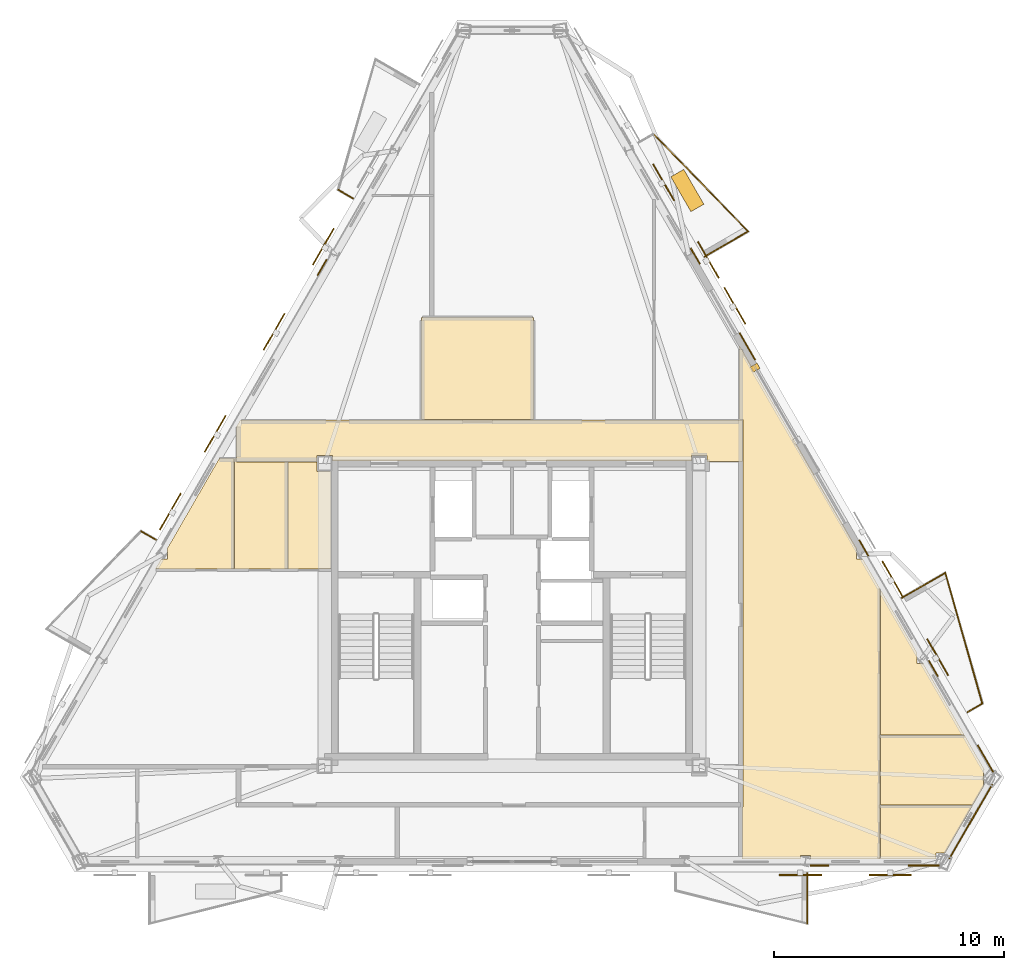
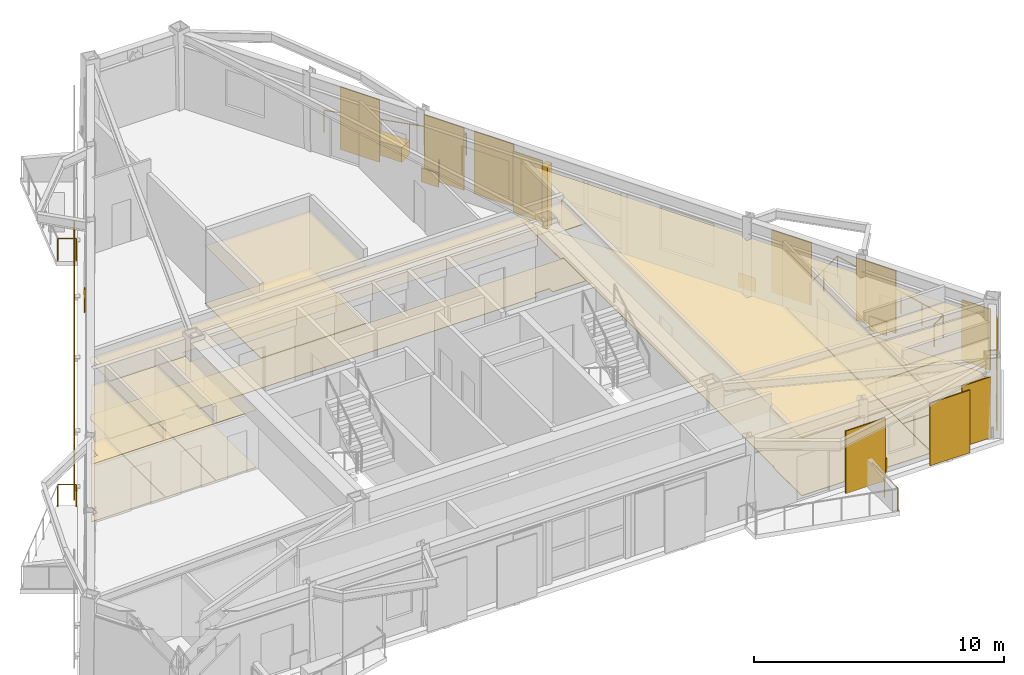
# One storey, part 14 of 15: 29 coverings, 11 shading devices, 8 railings.
"""IFC4 building model written with IfcOpenShell, lengths in metres."""

import ifcopenshell
import ifcopenshell.guid

model = None  # the IFC model being written
_history = None  # IfcOwnerHistory: only IFC2X3 demands one
_inside = {}  # id of a spatial element -> (the spatial element, [elements in it])
_under = {}  # id of a project, library or spatial element -> (it, [spatial elements below it])
_declared = {}  # id of a project -> (the project, [libraries it declares])
_typed = {}  # id of a type object -> (the type object, [elements of that type])
_made_of = {}  # id of a material, layer set ... -> (it, [elements and type objects made of it])


def new_model(schema):
    """Start an empty IFC model of exactly this schema.

    Asked for "IFC4X3", IfcOpenShell would pick the latest addendum, in which some entities
    have other attributes; the version numbers below select the first issue.
    IFC2X3 requires an IfcOwnerHistory on every rooted entity: one is made here for all.
    """
    global model, _history
    if schema == "IFC4X3":
        model = ifcopenshell.file(schema_version=(4, 3, 0, 0))
    else:
        model = ifcopenshell.file(schema=schema)
    _inside.clear()
    _under.clear()
    _declared.clear()
    _typed.clear()
    _made_of.clear()
    _history = None
    if model.schema == "IFC2X3":
        org = make("IfcOrganization", Name="unknown")
        user = make(
            "IfcPersonAndOrganization",
            ThePerson=make("IfcPerson", FamilyName="unknown"),
            TheOrganization=org,
        )
        app = make(
            "IfcApplication",
            ApplicationDeveloper=org,
            Version="unknown",
            ApplicationFullName="unknown",
            ApplicationIdentifier="unknown",
        )
        _history = make(
            "IfcOwnerHistory",
            OwningUser=user,
            OwningApplication=app,
            ChangeAction="ADDED",
            CreationDate=0,
        )
    return model


def make(cls, **values):
    """One entity of the class cls with the attributes given. An attribute that is None is left unset."""
    return model.create_entity(
        cls, **{name: value for name, value in values.items() if value is not None}
    )


def rooted(cls, **values):
    """An entity with a GlobalId (a new one), such as an element, a storey or a relation."""
    return make(cls, GlobalId=ifcopenshell.guid.new(), OwnerHistory=_history, **values)


def si_unit(unit_type, name, prefix=None):
    """IfcSIUnit, for example si_unit("LENGTHUNIT", "METRE", prefix="MILLI")."""
    return make("IfcSIUnit", UnitType=unit_type, Prefix=prefix, Name=name)


def assignment(units):
    """IfcUnitAssignment: the units of a project."""
    return None if units is None else make("IfcUnitAssignment", Units=units)


def point(xyz):
    """IfcCartesianPoint."""
    return None if xyz is None else make("IfcCartesianPoint", Coordinates=xyz)


def direction(xyz):
    """IfcDirection."""
    return None if xyz is None else make("IfcDirection", DirectionRatios=xyz)


def frame(location, z_axis=None, x_axis=None):
    """IfcAxis2Placement3D, a coordinate frame: its origin and axes. An axis left out is left unset."""
    return make(
        "IfcAxis2Placement3D",
        Location=point(location),
        Axis=direction(z_axis),
        RefDirection=direction(x_axis),
    )


def frame_2d(location, x_axis=None):
    """IfcAxis2Placement2D, a coordinate frame in the plane: its origin and x axis."""
    return make(
        "IfcAxis2Placement2D", Location=point(location), RefDirection=direction(x_axis)
    )


def origin():
    """The frame at (0, 0, 0) with its axes left unset."""
    return frame((0.0, 0.0, 0.0))


def origin_2d():
    """The frame at (0, 0) in the plane with its x axis left unset."""
    return frame_2d((0.0, 0.0))


def place(relative_to, where):
    """IfcLocalPlacement: puts the frame where relative to a parent placement (None: the world)."""
    return make(
        "IfcLocalPlacement", PlacementRelTo=relative_to, RelativePlacement=where
    )


def context(
    kind, dimensions, precision=None, world=None, true_north=None, identifier=None
):
    """IfcGeometricRepresentationContext, for example the 3D "Model" context."""
    return make(
        "IfcGeometricRepresentationContext",
        ContextIdentifier=identifier,
        ContextType=kind,
        CoordinateSpaceDimension=dimensions,
        Precision=precision,
        WorldCoordinateSystem=world,
        TrueNorth=true_north,
    )


def subcontext(parent, identifier, kind, view, scale=None):
    """IfcGeometricRepresentationSubContext, for example "Body" below "Model"."""
    return make(
        "IfcGeometricRepresentationSubContext",
        ContextIdentifier=identifier,
        ContextType=kind,
        ParentContext=parent,
        TargetScale=scale,
        TargetView=view,
    )


def project(units=None, contexts=None):
    """IfcProject with its units and contexts."""
    return rooted(
        "IfcProject",
        Name="project",
        RepresentationContexts=contexts,
        UnitsInContext=assignment(units),
    )


def spatial(cls, under=None, at=None, **own):
    """A site, building, storey or space (cls), placed at a placement, below another one or the project."""
    s = rooted(cls, ObjectPlacement=at, **own)
    if under is not None:
        _under.setdefault(under.id(), (under, []))[1].append(s)
    return s


def polyline(points):
    """IfcPolyline through the points."""
    return make("IfcPolyline", Points=[point(p) for p in points])


def profile(cls, at=None, kind="AREA", **sizes):
    """A parametric profile (cls). Its sizes go by their IFC names, for example OverallWidth=200.0."""
    return make(cls, ProfileType=kind, Position=at, **sizes)


def rectangle(**sizes):
    """IfcRectangleProfileDef."""
    return profile("IfcRectangleProfileDef", **sizes)


def circle(**sizes):
    """IfcCircleProfileDef."""
    return profile("IfcCircleProfileDef", **sizes)


def outline(outer, holes=None, kind="AREA"):
    """IfcArbitraryClosedProfileDef: a profile drawn as a closed curve; with holes, ...WithVoids."""
    if holes is None:
        return make("IfcArbitraryClosedProfileDef", ProfileType=kind, OuterCurve=outer)
    return make(
        "IfcArbitraryProfileDefWithVoids",
        ProfileType=kind,
        OuterCurve=outer,
        InnerCurves=holes,
    )


def extrude(swept, where, along, depth):
    """IfcExtrudedAreaSolid: the profile swept, set in the frame where, extruded along a direction by depth."""
    return make(
        "IfcExtrudedAreaSolid",
        SweptArea=swept,
        Position=where,
        ExtrudedDirection=direction(along),
        Depth=depth,
    )


def shape(context_of_items, identifier, shape_type, items):
    """IfcShapeRepresentation: the items that make up one representation, for example the "Body"."""
    return make(
        "IfcShapeRepresentation",
        ContextOfItems=context_of_items,
        RepresentationIdentifier=identifier,
        RepresentationType=shape_type,
        Items=items,
    )


def material(Name=None, Category=None):
    """IfcMaterial."""
    return make("IfcMaterial", Name=Name, Category=Category)


def layer(
    of_material, thickness, ventilated=None, Name=None, Category=None, Priority=None
):
    """IfcMaterialLayer: one layer of a wall or slab, of a material (None: an air gap)."""
    return make(
        "IfcMaterialLayer",
        Material=of_material,
        LayerThickness=thickness,
        IsVentilated=ventilated,
        Name=Name,
        Category=Category,
        Priority=Priority,
    )


def layer_set(layers, Name=None):
    """IfcMaterialLayerSet."""
    return make("IfcMaterialLayerSet", MaterialLayers=layers, LayerSetName=Name)


def made_of(thing, what):
    """Note that an element or type object is made of a material, layer set ...; save() writes the relation."""
    if what is not None:
        _made_of.setdefault(what.id(), (what, []))[1].append(thing)
    return thing


def type_object(cls, material=None, **own):
    """A type object (cls), such as IfcWallType, which elements share."""
    return made_of(rooted(cls, **own), material)


def element(
    cls,
    number,
    at=None,
    inside=None,
    cuts=None,
    type_object=None,
    material=None,
    context=None,
    identifier="Body",
    shape_type=None,
    held_by="IfcProductDefinitionShape",
    body=None,
    shapes=None,
    **own,
):
    """One element of the class cls, such as IfcWall. Its Tag is "e" and its number.

    at: its placement. inside: the storey or other place that contains it. cuts: it is an
    opening in that element (IfcRelVoidsElement). A single representation is given by context,
    identifier, shape_type and body (its items); several are given by shapes. held_by: the class
    of the entity that holds the representations. save() writes the other relations.
    """
    e = rooted(cls, Tag="e%d" % number, ObjectPlacement=at, **own)
    if body is not None:
        shapes = [shape(context, identifier, shape_type, body)]
    if shapes is not None:
        e.Representation = make(held_by, Representations=shapes)
    if inside is not None:
        _inside.setdefault(inside.id(), (inside, []))[1].append(e)
    if cuts is not None:
        rooted(
            "IfcRelVoidsElement", RelatingBuildingElement=cuts, RelatedOpeningElement=e
        )
    if type_object is not None:
        _typed.setdefault(type_object.id(), (type_object, []))[1].append(e)
    return made_of(e, material)


def aggregate(whole, parts):
    """IfcRelAggregates: a whole, such as a stair, and the parts it consists of."""
    return rooted("IfcRelAggregates", RelatingObject=whole, RelatedObjects=parts)


def save(model, path):
    """Write the relations noted so far, then the file.

    IfcRelAggregates (storeys below a building ...), IfcRelContainedInSpatialStructure (elements
    in a storey), IfcRelDefinesByType, IfcRelAssociatesMaterial and IfcRelDeclares: one each for
    every whole, place, type object, material and project.
    """
    for whole, parts in _under.values():
        aggregate(whole, parts)
    for where, things in _inside.values():
        rooted(
            "IfcRelContainedInSpatialStructure",
            RelatedElements=things,
            RelatingStructure=where,
        )
    for kind, things in _typed.values():
        rooted("IfcRelDefinesByType", RelatedObjects=things, RelatingType=kind)
    for what, things in _made_of.values():
        rooted("IfcRelAssociatesMaterial", RelatedObjects=things, RelatingMaterial=what)
    for by, libraries in _declared.values():
        rooted("IfcRelDeclares", RelatingContext=by, RelatedDefinitions=libraries)
    model.write(path)


model = new_model("IFC4")

# Units and contexts
model_context = context("Model", 3, precision=1e-05, world=origin(), true_north=direction((0.0, 1.0)))
body_context = subcontext(model_context, "Body", "Model", "MODEL_VIEW")
ifc_project = project(units=[si_unit("LENGTHUNIT", "METRE"), si_unit("AREAUNIT", "SQUARE_METRE"), si_unit("VOLUMEUNIT", "CUBIC_METRE"), si_unit("PLANEANGLEUNIT", "RADIAN"), si_unit("MASSUNIT", "GRAM", prefix="KILO")], contexts=[model_context])

# Site, building, storey
site_placement = place(None, origin())
site = spatial("IfcSite", under=ifc_project, at=site_placement, CompositionType="ELEMENT")
building_placement = place(site_placement, origin())
building = spatial("IfcBuilding", under=site, at=building_placement, Name="Oramaril Tower", CompositionType="ELEMENT")
storey_placement = place(building_placement, frame((0.0, 0.0, 288.89990234375)))
storey = spatial("IfcBuildingStorey", under=building, at=storey_placement, Name="L76", CompositionType="ELEMENT", Elevation=288.89990234375)

# Coverings
ifc_material_1 = material(Name="Mineral Fibre Acoustic Ceiling")
ifc_layer_1 = layer(ifc_material_1, 0.02001953125)
ifc_layer_set_1 = layer_set([ifc_layer_1], Name="CVT-CEIL")
covering_type_1 = type_object("IfcCoveringType", Name="CVT-CEIL", PredefinedType="CEILING", material=ifc_layer_set_1)
covering_1_placement = place(storey_placement, frame((0.0, 0.0, 2.81201171875)))
element("IfcCovering", 1, at=covering_1_placement, inside=storey, type_object=covering_type_1, Name="L76 Acoustic Suspended Ceiling 2", PredefinedType="CEILING", context=body_context, shape_type="SweptSolid", body=[
    extrude(outline(polyline([(45.9951171875, 24.239990234375), (45.9951171875, 24.4951171875), (45.304931640625, 24.4951171875), (45.304931640625, 24.25), (29.695068359375, 24.25), (29.695068359375, 24.4951171875), (29.0048828125, 24.4951171875), (29.0048828125, 24.239990234375), (25.52001953125, 24.239990234375), (25.52001953125, 25.755126953125), (25.690185546875, 26.050048828125), (47.530029296875, 26.050048828125), (47.530029296875, 24.239990234375), (45.9951171875, 24.239990234375)])), origin(), (0.0, 0.0, 1.0), 0.02001953125),
])
covering_2_placement = place(storey_placement, frame((0.0, 0.0, 2.81201171875)))
element("IfcCovering", 2, at=covering_2_placement, inside=storey, type_object=covering_type_1, Name="L76 Acoustic Suspended Ceiling 4", PredefinedType="CEILING", context=body_context, shape_type="SweptSolid", body=[
    extrude(outline(polyline([(38.44189453125, 30.511962890625), (38.44189453125, 26.070068359375), (33.55810546875, 26.070068359375), (33.55810546875, 30.511962890625), (38.44189453125, 30.511962890625)])), origin(), (0.0, 0.0, 1.0), 0.02001953125),
])
covering_3_placement = place(storey_placement, frame((0.0, 0.0, 2.81201171875)))
element("IfcCovering", 3, at=covering_3_placement, inside=storey, type_object=covering_type_1, Name="L76 Acoustic Suspended Ceiling 10", PredefinedType="CEILING", context=body_context, shape_type="SweptSolid", body=[
    extrude(outline(polyline([(22.504638671875, 19.993896484375), (22.504638671875, 20.443115234375), (22.4970703125, 20.443115234375), (24.759521484375, 24.362060546875), (25.395751953125, 24.362060546875), (25.395751953125, 19.56884765625), (21.9921875, 19.56884765625), (22.237548828125, 19.993896484375), (22.504638671875, 19.993896484375)])), origin(), (0.0, 0.0, 1.0), 0.02001953125),
])
covering_4_placement = place(storey_placement, frame((0.0, 0.0, 2.81201171875)))
element("IfcCovering", 4, at=covering_4_placement, inside=storey, type_object=covering_type_1, Name="L76 Acoustic Suspended Ceiling 11", PredefinedType="CEILING", context=body_context, shape_type="SweptSolid", body=[
    extrude(outline(polyline([(25.5, 24.362060546875), (25.5, 24.239990234375), (25.5, 24.238037109375), (25.50048828125, 24.236083984375), (25.5009765625, 24.234130859375), (25.50146484375, 24.232421875), (25.50244140625, 24.230712890625), (25.50341796875, 24.22900390625), (25.50439453125, 24.227294921875), (25.505859375, 24.225830078125), (25.50732421875, 24.224609375), (25.5087890625, 24.223388671875), (25.510498046875, 24.222412109375), (25.51220703125, 24.221435546875), (25.51416015625, 24.220947265625), (25.51611328125, 24.220458984375), (25.51806640625, 24.22021484375), (25.52001953125, 24.219970703125), (27.73193359375, 24.219970703125), (27.73193359375, 19.56884765625), (25.415771484375, 19.56884765625), (25.415771484375, 24.362060546875), (25.5, 24.362060546875)])), origin(), (0.0, 0.0, 1.0), 0.02001953125),
])
covering_5_placement = place(storey_placement, frame((0.0, 0.0, 2.81201171875)))
element("IfcCovering", 5, at=covering_5_placement, inside=storey, type_object=covering_type_1, Name="L76 Acoustic Suspended Ceiling 12", PredefinedType="CEILING", context=body_context, shape_type="SweptSolid", body=[
    extrude(outline(polyline([(29.0048828125, 23.804931640625), (29.60009765625, 23.804931640625), (29.60009765625, 19.56884765625), (27.751953125, 19.56884765625), (27.751953125, 24.219970703125), (29.0048828125, 24.219970703125), (29.0048828125, 23.804931640625)])), origin(), (0.0, 0.0, 1.0), 0.02001953125),
])
covering_6_placement = place(storey_placement, frame((0.0, 0.0, 2.81201171875)))
element("IfcCovering", 6, at=covering_6_placement, inside=storey, type_object=covering_type_1, Name="L76 Acoustic Suspended Ceiling 13", PredefinedType="CEILING", context=body_context, shape_type="SweptSolid", body=[
    extrude(outline(polyline([(52.5029296875, 20.443115234375), (52.495361328125, 20.443115234375), (52.495361328125, 19.993896484375), (52.762451171875, 19.993896484375), (53.513427734375, 18.693115234375), (53.513427734375, 6.935302734375), (50.48046875, 6.935302734375), (50.48046875, 7.091064453125), (50.05224609375, 7.091064453125), (50.05224609375, 6.935302734375), (47.511962890625, 6.935302734375), (47.511962890625, 9.199951171875), (47.530029296875, 9.199951171875), (47.531982421875, 9.2001953125), (47.533935546875, 9.200439453125), (47.535888671875, 9.200927734375), (47.53759765625, 9.201416015625), (47.539306640625, 9.202392578125), (47.541015625, 9.203369140625), (47.542724609375, 9.20458984375), (47.544189453125, 9.205810546875), (47.54541015625, 9.207275390625), (47.546630859375, 9.208984375), (47.547607421875, 9.210693359375), (47.548583984375, 9.21240234375), (47.549072265625, 9.214111328125), (47.549560546875, 9.216064453125), (47.5498046875, 9.218017578125), (47.550048828125, 9.219970703125), (47.550048828125, 11.030029296875), (47.5498046875, 11.031982421875), (47.549560546875, 11.033935546875), (47.549072265625, 11.035888671875), (47.548583984375, 11.03759765625), (47.547607421875, 11.039306640625), (47.54736328125, 11.0400390625), (47.547607421875, 11.04052734375), (47.548583984375, 11.042236328125), (47.549072265625, 11.044189453125), (47.549560546875, 11.046142578125), (47.5498046875, 11.048095703125), (47.550048828125, 11.050048828125), (47.550048828125, 24.219970703125), (47.5498046875, 24.221923828125), (47.549560546875, 24.223876953125), (47.549072265625, 24.225830078125), (47.548583984375, 24.227783203125), (47.547607421875, 24.2294921875), (47.54736328125, 24.22998046875), (47.547607421875, 24.230712890625), (47.548583984375, 24.232421875), (47.549072265625, 24.234130859375), (47.549560546875, 24.236083984375), (47.5498046875, 24.238037109375), (47.550048828125, 24.239990234375), (47.550048828125, 26.050048828125), (47.5498046875, 26.052001953125), (47.549560546875, 26.053955078125), (47.549072265625, 26.055908203125), (47.548583984375, 26.0576171875), (47.547607421875, 26.059326171875), (47.546630859375, 26.06103515625), (47.54541015625, 26.062744140625), (47.544189453125, 26.064208984375), (47.542724609375, 26.0654296875), (47.541015625, 26.066650390625), (47.539306640625, 26.067626953125), (47.53759765625, 26.068603515625), (47.535888671875, 26.069091796875), (47.533935546875, 26.069580078125), (47.531982421875, 26.06982421875), (47.530029296875, 26.070068359375), (47.407958984375, 26.070068359375), (47.407958984375, 29.26806640625), (52.5029296875, 20.443115234375)])), origin(), (0.0, 0.0, 1.0), 0.02001953125),
])
covering_7_placement = place(storey_placement, frame((0.0, 0.0, 2.81201171875)))
element("IfcCovering", 7, at=covering_7_placement, inside=storey, type_object=covering_type_1, Name="L76 Acoustic Suspended Ceiling 14", PredefinedType="CEILING", context=body_context, shape_type="SweptSolid", body=[
    extrude(outline(polyline([(56.35595703125, 7.20458984375), (55.94287109375, 7.20458984375), (55.94287109375, 6.935302734375), (53.533447265625, 6.935302734375), (53.533447265625, 9.260009765625), (57.54248046875, 9.260009765625), (56.35595703125, 7.20458984375)])), origin(), (0.0, 0.0, 1.0), 0.02001953125),
])
covering_8_placement = place(storey_placement, frame((0.0, 0.0, 2.81201171875)))
element("IfcCovering", 8, at=covering_8_placement, inside=storey, type_object=covering_type_1, Name="L76 Acoustic Suspended Ceiling 15", PredefinedType="CEILING", context=body_context, shape_type="SweptSolid", body=[
    extrude(outline(polyline([(58.06640625, 10.80712890625), (58.017333984375, 10.80712890625), (58.017333984375, 10.119384765625), (58.038818359375, 10.119384765625), (57.552490234375, 9.27734375), (57.552001953125, 9.277587890625), (57.55029296875, 9.2783203125), (57.548583984375, 9.279052734375), (57.54638671875, 9.279541015625), (57.54443359375, 9.27978515625), (57.54248046875, 9.280029296875), (53.533447265625, 9.280029296875), (53.533447265625, 12.31005859375), (57.19873046875, 12.31005859375), (58.06640625, 10.80712890625)])), origin(), (0.0, 0.0, 1.0), 0.02001953125),
])
covering_9_placement = place(storey_placement, frame((0.0, 0.0, 2.81201171875)))
element("IfcCovering", 9, at=covering_9_placement, inside=storey, type_object=covering_type_1, Name="L76 Acoustic Suspended Ceiling 16", PredefinedType="CEILING", context=body_context, shape_type="SweptSolid", body=[
    extrude(outline(polyline([(55.125244140625, 15.893310546875), (55.125244140625, 15.438720703125), (55.392333984375, 15.438720703125), (57.18701171875, 12.330078125), (53.533447265625, 12.330078125), (53.533447265625, 18.658203125), (55.1298828125, 15.893310546875), (55.125244140625, 15.893310546875)])), origin(), (0.0, 0.0, 1.0), 0.02001953125),
])
ifc_material_2 = material(Name="Warm Cream Limestone", Category="masonry")
ifc_layer_2 = layer(ifc_material_2, 0.050048828125)
ifc_layer_set_2 = layer_set([ifc_layer_2], Name="CVT-CLD")
covering_type_2 = type_object("IfcCoveringType", Name="CVT-CLD", PredefinedType="CLADDING", material=ifc_layer_set_2)
covering_10_placement = place(storey_placement, frame((55.412841796875, 6.659423828125, 0.0400390625), z_axis=(0.0, 0.0, 1.0), x_axis=(1.0, 0.0, 0.0)))
element("IfcCovering", 10, at=covering_10_placement, inside=storey, type_object=covering_type_2, Name="L76 Warm Cream Limestone Cladding", PredefinedType="CLADDING", context=body_context, shape_type="SweptSolid", body=[
    extrude(rectangle(XDim=1.35009765625, YDim=0.050048828125, at=origin_2d()), origin(), (0.0, 0.0, 1.0), 2.97802734375),
])
covering_11_placement = place(storey_placement, frame((50.8828125, 6.659423828125, 0.0400390625), z_axis=(0.0, 0.0, 1.0), x_axis=(1.0, 0.0, 0.0)))
element("IfcCovering", 11, at=covering_11_placement, inside=storey, type_object=covering_type_2, Name="L76 Warm Cream Limestone Spandrel Cladding", PredefinedType="CLADDING", context=body_context, shape_type="SweptSolid", body=[
    extrude(rectangle(XDim=0.800048828125, YDim=0.050048828125, at=origin_2d()), origin(), (0.0, 0.0, 1.0), 0.679931640625),
])
covering_12_placement = place(storey_placement, frame((57.46484375, 8.5732421875, 0.0400390625), z_axis=(0.0, 0.0, 1.0), x_axis=(0.499984884929, 0.866034130299, 0.0)))
element("IfcCovering", 12, at=covering_12_placement, inside=storey, type_object=covering_type_2, Name="L76 Warm Cream Limestone Cladding", PredefinedType="CLADDING", context=body_context, shape_type="SweptSolid", body=[
    extrude(rectangle(XDim=3.725830078125, YDim=0.050048828125, at=origin_2d()), origin(), (0.0, 0.0, 1.0), 2.97802734375),
])
covering_13_placement = place(storey_placement, frame((48.079345703125, 28.3212890625, 0.0), z_axis=(0.0, 0.0, 1.0), x_axis=(-0.5, 0.866025403784, 0.0)))
element("IfcCovering", 13, at=covering_13_placement, inside=storey, type_object=covering_type_2, Name="L76 Curtain Wall Limestone Jamb Closure", PredefinedType="CLADDING", context=body_context, shape_type="SweptSolid", body=[
    extrude(rectangle(XDim=0.260009765625, YDim=0.340087890625, at=origin_2d()), origin(), (0.0, 0.0, 1.0), 3.05810546875),
])
covering_14_placement = place(storey_placement, frame((58.09619140625, 11.307373046875, 0.0400390625), z_axis=(0.0, 0.0, 1.0), x_axis=(-0.4999984885, 0.866026276448, 0.0)))
element("IfcCovering", 14, at=covering_14_placement, inside=storey, type_object=covering_type_2, Name="L76 Warm Cream Limestone Cladding", PredefinedType="CLADDING", context=body_context, shape_type="SweptSolid", body=[
    extrude(rectangle(XDim=1.35009765625, YDim=0.050048828125, at=origin_2d()), origin(), (0.0, 0.0, 1.0), 2.97802734375),
])
for number, where, z_axis, x_axis, name in (
    (15, (55.831298828125, 15.23046875, 0.0400390625), (0.0, 0.0, 1.0), (-0.4999984885, 0.866026276448, 0.0), "L76 Warm Cream Limestone Spandrel Cladding"),
    (16, (52.804931640625, 20.472412109375, 0.0400390625), (0.0, 0.0, 1.0), (-0.4999984885, 0.866026276448, 0.0), "L76 Warm Cream Limestone Spandrel Cladding"),
):
    element("IfcCovering", number, at=place(storey_placement, frame(where, z_axis=z_axis, x_axis=x_axis)), inside=storey, type_object=covering_type_2, Name=name, PredefinedType="CLADDING", context=body_context, shape_type="SweptSolid", body=[
        extrude(rectangle(XDim=0.800048828125, YDim=0.050048828125, at=origin_2d()), origin(), (0.0, 0.0, 1.0), 0.679931640625),
    ])
covering_15_placement = place(storey_placement, frame((47.739990234375, 29.2451171875, 0.0400390625), z_axis=(0.0, 0.0, 1.0), x_axis=(-0.4999984885, 0.866026276448, 0.0)))
element("IfcCovering", 17, at=covering_15_placement, inside=storey, type_object=covering_type_2, Name="L76 Warm Cream Limestone Cladding", PredefinedType="CLADDING", context=body_context, shape_type="SweptSolid", body=[
    extrude(rectangle(XDim=1.35009765625, YDim=0.050048828125, at=origin_2d()), origin(), (0.0, 0.0, 1.0), 2.97802734375),
])
for number, where, z_axis, x_axis, name in (
    (18, (45.474853515625, 33.16845703125, 0.0400390625), (0.0, 0.0, 1.0), (-0.4999984885, 0.866026276448, 0.0), "L76 Warm Cream Limestone Spandrel Cladding"),
    (19, (29.2373046875, 32.669921875, 0.0400390625), (0.0, 0.0, 1.0), (-0.4999984885, -0.866026276448, 0.0), "L76 Warm Cream Limestone Spandrel Cladding"),
):
    element("IfcCovering", number, at=place(storey_placement, frame(where, z_axis=z_axis, x_axis=x_axis)), inside=storey, type_object=covering_type_2, Name=name, PredefinedType="CLADDING", context=body_context, shape_type="SweptSolid", body=[
        extrude(rectangle(XDim=0.800048828125, YDim=0.050048828125, at=origin_2d()), origin(), (0.0, 0.0, 1.0), 0.679931640625),
    ])
covering_16_placement = place(storey_placement, frame((45.128173828125, 36.026123046875, 0.0), z_axis=(0.0, 0.0, 1.0), x_axis=(-0.4999984885, 0.866026276448, 0.0)))
element("IfcCovering", 20, at=covering_16_placement, inside=storey, type_object=covering_type_2, Name="L76 Structural Tree Planter Box L76-BAL-NE2", PredefinedType="CLADDING", context=body_context, shape_type="SweptSolid", body=[
    extrude(rectangle(XDim=1.75, YDim=0.64990234375, at=origin_2d()), origin(), (0.0, 0.0, 1.0), 0.699951171875),
])
ifc_material_3 = material(Name="Honed Quartzite Stone Flooring", Category="masonry")
ifc_layer_3 = layer(ifc_material_3, 0.02490234375)
ifc_layer_set_3 = layer_set([ifc_layer_3], Name="CVT-FLR")
covering_type_3 = type_object("IfcCoveringType", Name="CVT-FLR", PredefinedType="FLOORING", material=ifc_layer_set_3)
covering_17_placement = place(storey_placement, origin())
element("IfcCovering", 21, at=covering_17_placement, inside=storey, type_object=covering_type_3, Name="L76 Honed Stone Floor Finish 2", PredefinedType="FLOORING", context=body_context, shape_type="SweptSolid", body=[
    extrude(outline(polyline([(45.9951171875, 24.239990234375), (45.9951171875, 24.4951171875), (45.304931640625, 24.4951171875), (45.304931640625, 24.25), (29.695068359375, 24.25), (29.695068359375, 24.4951171875), (29.0048828125, 24.4951171875), (29.0048828125, 24.239990234375), (25.52001953125, 24.239990234375), (25.52001953125, 25.755126953125), (25.690185546875, 26.050048828125), (47.530029296875, 26.050048828125), (47.530029296875, 24.239990234375), (45.9951171875, 24.239990234375)])), origin(), (0.0, 0.0, 1.0), 0.025146484375),
])
covering_18_placement = place(storey_placement, origin())
element("IfcCovering", 22, at=covering_18_placement, inside=storey, type_object=covering_type_3, Name="L76 Honed Stone Floor Finish 4", PredefinedType="FLOORING", context=body_context, shape_type="SweptSolid", body=[
    extrude(outline(polyline([(38.44189453125, 30.511962890625), (38.44189453125, 26.070068359375), (33.55810546875, 26.070068359375), (33.55810546875, 30.511962890625), (38.44189453125, 30.511962890625)])), origin(), (0.0, 0.0, 1.0), 0.025146484375),
])
covering_19_placement = place(storey_placement, origin())
element("IfcCovering", 23, at=covering_19_placement, inside=storey, type_object=covering_type_3, Name="L76 Honed Stone Floor Finish 10", PredefinedType="FLOORING", context=body_context, shape_type="SweptSolid", body=[
    extrude(outline(polyline([(22.504638671875, 19.993896484375), (22.504638671875, 20.443115234375), (22.4970703125, 20.443115234375), (24.759521484375, 24.362060546875), (25.395751953125, 24.362060546875), (25.395751953125, 19.56884765625), (21.9921875, 19.56884765625), (22.237548828125, 19.993896484375), (22.504638671875, 19.993896484375)])), origin(), (0.0, 0.0, 1.0), 0.025146484375),
])
covering_20_placement = place(storey_placement, origin())
element("IfcCovering", 24, at=covering_20_placement, inside=storey, type_object=covering_type_3, Name="L76 Honed Stone Floor Finish 11", PredefinedType="FLOORING", context=body_context, shape_type="SweptSolid", body=[
    extrude(outline(polyline([(25.5, 24.362060546875), (25.5, 24.239990234375), (25.5, 24.238037109375), (25.50048828125, 24.236083984375), (25.5009765625, 24.234130859375), (25.50146484375, 24.232421875), (25.50244140625, 24.230712890625), (25.50341796875, 24.22900390625), (25.50439453125, 24.227294921875), (25.505859375, 24.225830078125), (25.50732421875, 24.224609375), (25.5087890625, 24.223388671875), (25.510498046875, 24.222412109375), (25.51220703125, 24.221435546875), (25.51416015625, 24.220947265625), (25.51611328125, 24.220458984375), (25.51806640625, 24.22021484375), (25.52001953125, 24.219970703125), (27.73193359375, 24.219970703125), (27.73193359375, 19.56884765625), (25.415771484375, 19.56884765625), (25.415771484375, 24.362060546875), (25.5, 24.362060546875)])), origin(), (0.0, 0.0, 1.0), 0.025146484375),
])
covering_21_placement = place(storey_placement, origin())
element("IfcCovering", 25, at=covering_21_placement, inside=storey, type_object=covering_type_3, Name="L76 Honed Stone Floor Finish 12", PredefinedType="FLOORING", context=body_context, shape_type="SweptSolid", body=[
    extrude(outline(polyline([(29.0048828125, 23.804931640625), (29.60009765625, 23.804931640625), (29.60009765625, 19.56884765625), (27.751953125, 19.56884765625), (27.751953125, 24.219970703125), (29.0048828125, 24.219970703125), (29.0048828125, 23.804931640625)])), origin(), (0.0, 0.0, 1.0), 0.025146484375),
])
covering_22_placement = place(storey_placement, origin())
element("IfcCovering", 26, at=covering_22_placement, inside=storey, type_object=covering_type_3, Name="L76 Honed Stone Floor Finish 13", PredefinedType="FLOORING", context=body_context, shape_type="SweptSolid", body=[
    extrude(outline(polyline([(52.5029296875, 20.443115234375), (52.495361328125, 20.443115234375), (52.495361328125, 19.993896484375), (52.762451171875, 19.993896484375), (53.513427734375, 18.693115234375), (53.513427734375, 6.935302734375), (50.48046875, 6.935302734375), (50.48046875, 7.091064453125), (50.05224609375, 7.091064453125), (50.05224609375, 6.935302734375), (47.511962890625, 6.935302734375), (47.511962890625, 9.199951171875), (47.530029296875, 9.199951171875), (47.531982421875, 9.2001953125), (47.533935546875, 9.200439453125), (47.535888671875, 9.200927734375), (47.53759765625, 9.201416015625), (47.539306640625, 9.202392578125), (47.541015625, 9.203369140625), (47.542724609375, 9.20458984375), (47.544189453125, 9.205810546875), (47.54541015625, 9.207275390625), (47.546630859375, 9.208984375), (47.547607421875, 9.210693359375), (47.548583984375, 9.21240234375), (47.549072265625, 9.214111328125), (47.549560546875, 9.216064453125), (47.5498046875, 9.218017578125), (47.550048828125, 9.219970703125), (47.550048828125, 11.030029296875), (47.5498046875, 11.031982421875), (47.549560546875, 11.033935546875), (47.549072265625, 11.035888671875), (47.548583984375, 11.03759765625), (47.547607421875, 11.039306640625), (47.54736328125, 11.0400390625), (47.547607421875, 11.04052734375), (47.548583984375, 11.042236328125), (47.549072265625, 11.044189453125), (47.549560546875, 11.046142578125), (47.5498046875, 11.048095703125), (47.550048828125, 11.050048828125), (47.550048828125, 24.219970703125), (47.5498046875, 24.221923828125), (47.549560546875, 24.223876953125), (47.549072265625, 24.225830078125), (47.548583984375, 24.227783203125), (47.547607421875, 24.2294921875), (47.54736328125, 24.22998046875), (47.547607421875, 24.230712890625), (47.548583984375, 24.232421875), (47.549072265625, 24.234130859375), (47.549560546875, 24.236083984375), (47.5498046875, 24.238037109375), (47.550048828125, 24.239990234375), (47.550048828125, 26.050048828125), (47.5498046875, 26.052001953125), (47.549560546875, 26.053955078125), (47.549072265625, 26.055908203125), (47.548583984375, 26.0576171875), (47.547607421875, 26.059326171875), (47.546630859375, 26.06103515625), (47.54541015625, 26.062744140625), (47.544189453125, 26.064208984375), (47.542724609375, 26.0654296875), (47.541015625, 26.066650390625), (47.539306640625, 26.067626953125), (47.53759765625, 26.068603515625), (47.535888671875, 26.069091796875), (47.533935546875, 26.069580078125), (47.531982421875, 26.06982421875), (47.530029296875, 26.070068359375), (47.407958984375, 26.070068359375), (47.407958984375, 29.26806640625), (52.5029296875, 20.443115234375)])), origin(), (0.0, 0.0, 1.0), 0.025146484375),
])
covering_23_placement = place(storey_placement, origin())
element("IfcCovering", 27, at=covering_23_placement, inside=storey, type_object=covering_type_3, Name="L76 Honed Stone Floor Finish 14", PredefinedType="FLOORING", context=body_context, shape_type="SweptSolid", body=[
    extrude(outline(polyline([(56.35595703125, 7.20458984375), (55.94287109375, 7.20458984375), (55.94287109375, 6.935302734375), (53.533447265625, 6.935302734375), (53.533447265625, 9.260009765625), (57.54248046875, 9.260009765625), (56.35595703125, 7.20458984375)])), origin(), (0.0, 0.0, 1.0), 0.025146484375),
])
covering_24_placement = place(storey_placement, origin())
element("IfcCovering", 28, at=covering_24_placement, inside=storey, type_object=covering_type_3, Name="L76 Honed Stone Floor Finish 15", PredefinedType="FLOORING", context=body_context, shape_type="SweptSolid", body=[
    extrude(outline(polyline([(58.06640625, 10.80712890625), (58.017333984375, 10.80712890625), (58.017333984375, 10.119384765625), (58.038818359375, 10.119384765625), (57.552490234375, 9.27734375), (57.552001953125, 9.277587890625), (57.55029296875, 9.2783203125), (57.548583984375, 9.279052734375), (57.54638671875, 9.279541015625), (57.54443359375, 9.27978515625), (57.54248046875, 9.280029296875), (53.533447265625, 9.280029296875), (53.533447265625, 12.31005859375), (57.19873046875, 12.31005859375), (58.06640625, 10.80712890625)])), origin(), (0.0, 0.0, 1.0), 0.025146484375),
])
covering_25_placement = place(storey_placement, origin())
element("IfcCovering", 29, at=covering_25_placement, inside=storey, type_object=covering_type_3, Name="L76 Honed Stone Floor Finish 16", PredefinedType="FLOORING", context=body_context, shape_type="SweptSolid", body=[
    extrude(outline(polyline([(55.125244140625, 15.893310546875), (55.125244140625, 15.438720703125), (55.392333984375, 15.438720703125), (57.18701171875, 12.330078125), (53.533447265625, 12.330078125), (53.533447265625, 18.658203125), (55.1298828125, 15.893310546875), (55.125244140625, 15.893310546875)])), origin(), (0.0, 0.0, 1.0), 0.025146484375),
])

# Railings
ifc_material_4 = material(Name="Stainless Steel 316L", Category="steel")
railing_type = type_object("IfcRailingType", Name="RLT-GRD", PredefinedType="GUARDRAIL", material=ifc_material_4)
railing_1_placement = place(storey_placement, frame((50.343505859375, 6.3193359375, 0.0)))
element("IfcRailing", 30, at=railing_1_placement, inside=storey, type_object=railing_type, Name="L76 Balcony Guardrail L76-BAL-S2.1", PredefinedType="GUARDRAIL", context=body_context, shape_type="SweptSolid", body=[
    extrude(circle(Radius=0.02392578125, at=origin_2d()), frame((0.0, 0.0, 1.076171875), z_axis=(0.0, -1.0, 0.0), x_axis=(1.0, 0.0, 0.0)), (0.0, 0.0, 1.0), 2.19189453125),
    extrude(circle(Radius=0.02099609375, at=origin_2d()), origin(), (0.0, 0.0, 1.0), 1.052001953125),
    extrude(circle(Radius=0.02099609375, at=origin_2d()), frame((0.0, -1.095947265625, 0.0)), (0.0, 0.0, 1.0), 1.052001953125),
    extrude(circle(Radius=0.02099609375, at=origin_2d()), frame((0.0, -2.19189453125, 0.0)), (0.0, 0.0, 1.0), 1.052001953125),
])
railing_2_placement = place(storey_placement, frame((54.45361328125, 18.296630859375, 0.0)))
element("IfcRailing", 31, at=railing_2_placement, inside=storey, type_object=railing_type, Name="L76 Balcony Guardrail L76-BAL-NE1.1", PredefinedType="GUARDRAIL", context=body_context, shape_type="SweptSolid", body=[
    extrude(circle(Radius=0.02392578125, at=origin_2d()), frame((0.0, 0.0, 1.076171875), z_axis=(0.866020500697, 0.5000084923, 0.0), x_axis=(-0.5000084923, 0.866020500697, 0.0)), (0.0, 0.0, 1.0), 2.19189453125),
    extrude(circle(Radius=0.02099609375, at=origin_2d()), origin(), (0.0, 0.0, 1.0), 1.052001953125),
    extrude(circle(Radius=0.02099609375, at=origin_2d()), frame((0.94921875, 0.5478515625, 0.0)), (0.0, 0.0, 1.0), 1.052001953125),
    extrude(circle(Radius=0.02099609375, at=origin_2d()), frame((1.898193359375, 1.095947265625, 0.0)), (0.0, 0.0, 1.0), 1.052001953125),
])
railing_3_placement = place(storey_placement, frame((56.351806640625, 19.392578125, 0.0)))
element("IfcRailing", 32, at=railing_3_placement, inside=storey, type_object=railing_type, Name="L76 Balcony Guardrail L76-BAL-NE1.2", PredefinedType="GUARDRAIL", context=body_context, shape_type="SweptSolid", body=[
    extrude(circle(Radius=0.02392578125, at=origin_2d()), frame((0.0, 0.0, 1.076171875), z_axis=(0.272297931824, -0.962212989064, 0.0), x_axis=(0.962212989064, 0.272297931824, 0.0)), (0.0, 0.0, 1.0), 5.910400390625),
    extrude(circle(Radius=0.02099609375, at=origin_2d()), origin(), (0.0, 0.0, 1.0), 1.052001953125),
    extrude(circle(Radius=0.02099609375, at=origin_2d()), frame((0.32177734375, -1.137451171875, 0.0)), (0.0, 0.0, 1.0), 1.052001953125),
    extrude(circle(Radius=0.02099609375, at=origin_2d()), frame((0.643798828125, -2.27490234375, 0.0)), (0.0, 0.0, 1.0), 1.052001953125),
    extrude(circle(Radius=0.02099609375, at=origin_2d()), frame((0.965576171875, -3.412109375, 0.0)), (0.0, 0.0, 1.0), 1.052001953125),
    extrude(circle(Radius=0.02099609375, at=origin_2d()), frame((1.28759765625, -4.549560546875, 0.0)), (0.0, 0.0, 1.0), 1.052001953125),
    extrude(circle(Radius=0.02099609375, at=origin_2d()), frame((1.609375, -5.68701171875, 0.0)), (0.0, 0.0, 1.0), 1.052001953125),
])
railing_4_placement = place(storey_placement, frame((57.961181640625, 13.70556640625, 0.0)))
element("IfcRailing", 33, at=railing_4_placement, inside=storey, type_object=railing_type, Name="L76 Balcony Guardrail L76-BAL-NE1.3", PredefinedType="GUARDRAIL", context=body_context, shape_type="SweptSolid", body=[
    extrude(circle(Radius=0.02392578125, at=origin_2d()), frame((0.0, 0.0, 1.076171875), z_axis=(-0.865966403178, -0.500102178127, 0.0), x_axis=(0.500102178127, -0.865966403178, 0.0)), (0.0, 0.0, 1.0), 0.741943359375),
    extrude(circle(Radius=0.02099609375, at=origin_2d()), origin(), (0.0, 0.0, 1.0), 1.052001953125),
    extrude(circle(Radius=0.02099609375, at=origin_2d()), frame((-0.642578125, -0.37109375, 0.0)), (0.0, 0.0, 1.0), 1.052001953125),
])
railing_5_placement = place(storey_placement, frame((43.6552734375, 38.484130859375, 0.0)))
element("IfcRailing", 34, at=railing_5_placement, inside=storey, type_object=railing_type, Name="L76 Balcony Guardrail L76-BAL-NE2.2", PredefinedType="GUARDRAIL", context=body_context, shape_type="SweptSolid", body=[
    extrude(circle(Radius=0.02392578125, at=origin_2d()), frame((0.0, 0.0, 1.076171875), z_axis=(0.697165686546, -0.716910040034, 0.0), x_axis=(0.716910040034, 0.697165686546, 0.0)), (0.0, 0.0, 1.0), 5.910400390625),
    extrude(circle(Radius=0.02099609375, at=origin_2d()), origin(), (0.0, 0.0, 1.0), 1.052001953125),
    extrude(circle(Radius=0.02099609375, at=origin_2d()), frame((0.82421875, -0.847412109375, 0.0)), (0.0, 0.0, 1.0), 1.052001953125),
    extrude(circle(Radius=0.02099609375, at=origin_2d()), frame((1.648193359375, -1.69482421875, 0.0)), (0.0, 0.0, 1.0), 1.052001953125),
    extrude(circle(Radius=0.02099609375, at=origin_2d()), frame((2.472412109375, -2.54248046875, 0.0)), (0.0, 0.0, 1.0), 1.052001953125),
    extrude(circle(Radius=0.02099609375, at=origin_2d()), frame((3.29638671875, -3.389892578125, 0.0)), (0.0, 0.0, 1.0), 1.052001953125),
    extrude(circle(Radius=0.02099609375, at=origin_2d()), frame((4.12060546875, -4.2373046875, 0.0)), (0.0, 0.0, 1.0), 1.052001953125),
])
railing_6_placement = place(storey_placement, frame((47.77587890625, 34.246826171875, 0.0)))
element("IfcRailing", 35, at=railing_6_placement, inside=storey, type_object=railing_type, Name="L76 Balcony Guardrail L76-BAL-NE2.3", PredefinedType="GUARDRAIL", context=body_context, shape_type="SweptSolid", body=[
    extrude(circle(Radius=0.02392578125, at=origin_2d()), frame((0.0, 0.0, 1.076171875), z_axis=(-0.866020500697, -0.5000084923, 0.0), x_axis=(0.5000084923, -0.866020500697, 0.0)), (0.0, 0.0, 1.0), 2.19189453125),
    extrude(circle(Radius=0.02099609375, at=origin_2d()), origin(), (0.0, 0.0, 1.0), 1.052001953125),
    extrude(circle(Radius=0.02099609375, at=origin_2d()), frame((-0.94921875, -0.5478515625, 0.0)), (0.0, 0.0, 1.0), 1.052001953125),
    extrude(circle(Radius=0.02099609375, at=origin_2d()), frame((-1.898193359375, -1.095947265625, 0.0)), (0.0, 0.0, 1.0), 1.052001953125),
])
railing_7_placement = place(storey_placement, frame((30.584716796875, 35.68408203125, 0.0)))
element("IfcRailing", 36, at=railing_7_placement, inside=storey, type_object=railing_type, Name="L76 Balcony Guardrail L76-BAL-NW1.1", PredefinedType="GUARDRAIL", context=body_context, shape_type="SweptSolid", body=[
    extrude(circle(Radius=0.02392578125, at=origin_2d()), frame((0.0, 0.0, 1.076171875), z_axis=(-0.866026623601, 0.49999788721, 0.0), x_axis=(-0.49999788721, -0.866026623601, 0.0)), (0.0, 0.0, 1.0), 0.74169921875),
    extrude(circle(Radius=0.02099609375, at=origin_2d()), origin(), (0.0, 0.0, 1.0), 1.052001953125),
    extrude(circle(Radius=0.02099609375, at=origin_2d()), frame((-0.642333984375, 0.370849609375, 0.0)), (0.0, 0.0, 1.0), 1.052001953125),
])
railing_8_placement = place(storey_placement, frame((21.366455078125, 21.200927734375, 0.0)))
element("IfcRailing", 37, at=railing_8_placement, inside=storey, type_object=railing_type, Name="L76 Balcony Guardrail L76-BAL-NW2.3", PredefinedType="GUARDRAIL", context=body_context, shape_type="SweptSolid", body=[
    extrude(circle(Radius=0.02392578125, at=origin_2d()), frame((0.0, 0.0, 1.076171875), z_axis=(0.865884080729, -0.500244698863, 0.0), x_axis=(0.500244698863, 0.865884080729, 0.0)), (0.0, 0.0, 1.0), 0.741943359375),
    extrude(circle(Radius=0.02099609375, at=origin_2d()), origin(), (0.0, 0.0, 1.0), 1.052001953125),
    extrude(circle(Radius=0.02099609375, at=origin_2d()), frame((0.642333984375, -0.37109375, 0.0)), (0.0, 0.0, 1.0), 1.052001953125),
])

# Shading devices
for number, where, z_axis, x_axis, name in (
    (38, (50.051513671875, 6.247314453125, -0.02001953125), (0.0, 0.0, 1.0), (1.0, 0.0, 0.0), "L76 Perforated Ceramic Solar Screen"),
    (39, (53.951416015625, 6.247314453125, -0.02001953125), (0.0, 0.0, 1.0), (1.0, 0.0, 0.0), "L76 Perforated Ceramic Solar Screen"),
    (40, (56.022705078125, 15.72314453125, -0.02001953125), (0.0, 0.0, 1.0), (-0.499996976998, 0.866027149108, 0.0), "L76 Perforated Ceramic Solar Screen"),
    (41, (54.072509765625, 19.1005859375, -0.02001953125), (0.0, 0.0, 1.0), (-0.499996976998, 0.866027149108, 0.0), "L76 Perforated Ceramic Solar Screen"),
    (42, (46.044921875, 33.0048828125, -0.02001953125), (0.0, 0.0, 1.0), (-0.499996976998, 0.866027149108, 0.0), "L76 Perforated Ceramic Solar Screen"),
    (43, (44.094970703125, 36.38232421875, -0.02001953125), (0.0, 0.0, 1.0), (-0.499996976998, 0.866027149108, 0.0), "L76 Perforated Ceramic Solar Screen"),
    (44, (47.195556640625, 31.011962890625, -0.02001953125), (0.0, 0.0, 1.0), (-0.499996976998, 0.866027149108, 0.0), "L76 Perforated Ceramic Solar Screen"),
    (45, (24.5869140625, 25.438720703125, -0.02001953125), (0.0, 0.0, 1.0), (-0.4999984885, -0.866026276448, 0.0), "L76 Perforated Ceramic Solar Screen"),
    (46, (22.63671875, 22.061279296875, -0.02001953125), (0.0, 0.0, 1.0), (-0.4999984885, -0.866026276448, 0.0), "L76 Perforated Ceramic Solar Screen"),
    (47, (29.288818359375, 33.5830078125, -0.02001953125), (0.0, 0.0, 1.0), (-0.4999984885, -0.866026276448, 0.0), "L76 Perforated Ceramic Solar Screen"),
    (48, (27.1484375, 29.875732421875, -0.02001953125), (0.0, 0.0, 1.0), (-0.4999984885, -0.866026276448, 0.0), "L76 Perforated Ceramic Solar Screen"),
):
    element("IfcShadingDevice", number, at=place(storey_placement, frame(where, z_axis=z_axis, x_axis=x_axis)), inside=storey, Name=name, ObjectType="SCREEN", PredefinedType="USERDEFINED", context=body_context, shape_type="SweptSolid", body=[
        extrude(rectangle(XDim=1.8330078125, YDim=0.050048828125, at=origin_2d()), origin(), (0.0, 0.0, 1.0), 3.05810546875),
    ])

save(model, "model.ifc")
